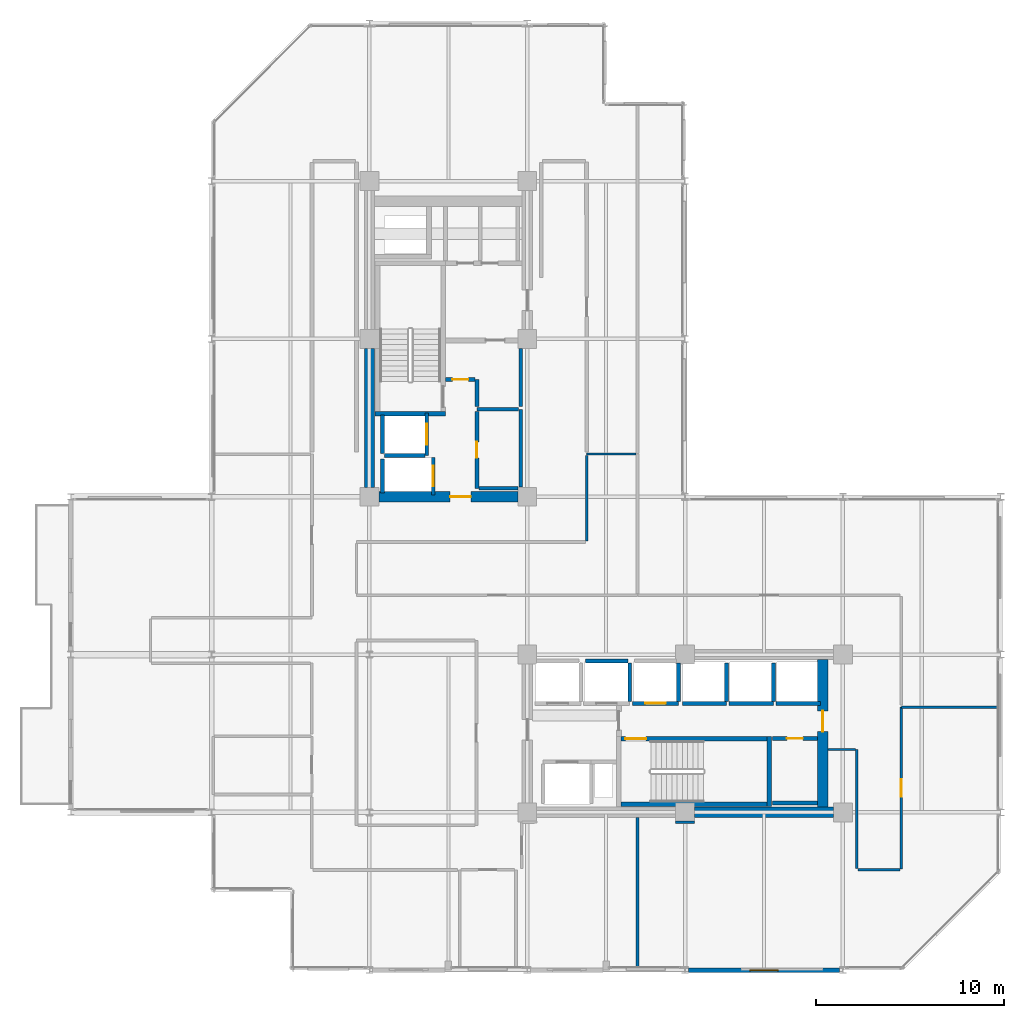
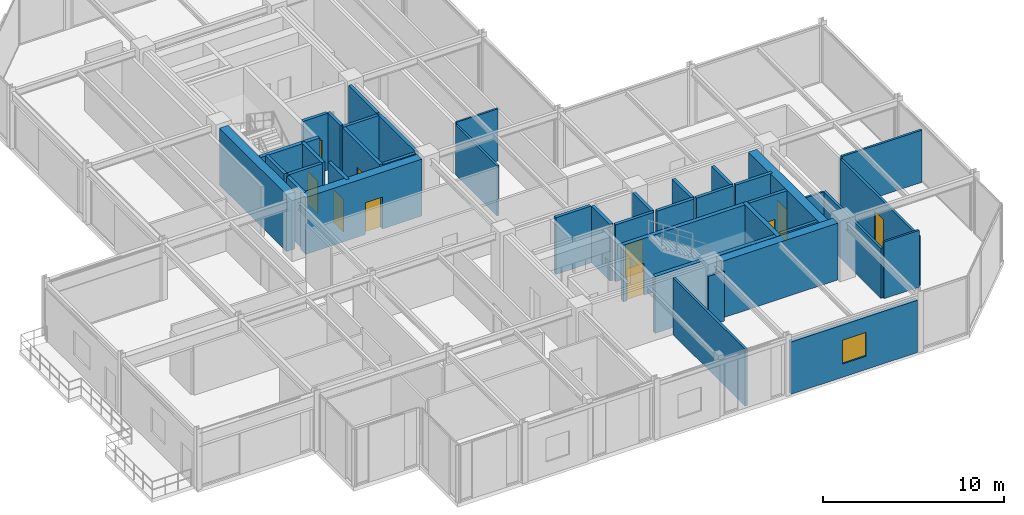
# One storey, part 25 of 29: 41 walls, 10 doors, 1 window, 11 openings.
"""IFC4 building model written with IfcOpenShell, lengths in metres."""

from ifc_helpers import new_model, si_unit, direction, frame, frame_2d, origin, place, context, subcontext, project, spatial, rectangle, extrude, material, layer, layer_set, type_object, element, fill, save


model = new_model("IFC4")

# Units and contexts
model_context = context("Model", 3, precision=1e-05, world=origin(), true_north=direction((0.0, 1.0)))
body_context = subcontext(model_context, "Body", "Model", "MODEL_VIEW")
ifc_project = project(units=[si_unit("LENGTHUNIT", "METRE"), si_unit("AREAUNIT", "SQUARE_METRE"), si_unit("VOLUMEUNIT", "CUBIC_METRE"), si_unit("PLANEANGLEUNIT", "RADIAN"), si_unit("MASSUNIT", "GRAM", prefix="KILO")], contexts=[model_context])

# Site, building, storey
site_placement = place(None, origin())
site = spatial("IfcSite", under=ifc_project, at=site_placement, CompositionType="ELEMENT")
building_placement = place(site_placement, origin())
building = spatial("IfcBuilding", under=site, at=building_placement, Name="Nerrivon Quay Data Exchange", CompositionType="ELEMENT")
storey_placement = place(building_placement, frame((0.0, 0.0, 212.39990234375)))
storey = spatial("IfcBuildingStorey", under=building, at=storey_placement, Name="L50", CompositionType="ELEMENT", Elevation=212.39990234375)

# Wall, opening, window
ifc_material_1 = material(Name="Architectural terracotta precast concrete N50 (50 MPa)", Category="masonry")
ifc_layer_1 = layer(ifc_material_1, 0.239990234375)
ifc_layer_set_1 = layer_set([ifc_layer_1], Name="Architectural terracotta precast concrete N50 (50 MPa)")
wall_type_1 = type_object("IfcWallType", Name="EW-PREC-240", PredefinedType="STANDARD", material=ifc_layer_set_1)
wall_1_placement = place(storey_placement, frame((33.425048828125, 0.0, 0.0), z_axis=(0.0, 0.0, 1.0), x_axis=(-1.0, 0.0, 0.0)))
wall_1 = element("IfcWall", 1, at=wall_1_placement, inside=storey, type_object=wall_type_1, Name="L50 Podium Precast Spandrel Wall 23", PredefinedType="STANDARD", context=body_context, shape_type="SweptSolid", body=[
    extrude(rectangle(XDim=8.050048828125, YDim=0.239990234375, at=frame_2d((4.02490234375, 0.0))), origin(), (0.0, 0.0, 1.0), 3.525146484375),
])
opening_1_placement = place(wall_1_placement, frame((3.27490234375, 0.0, 0.89990234375)))
opening_1 = element("IfcOpeningElement", 2, at=opening_1_placement, cuts=wall_1, Name="Opening WN4", PredefinedType="OPENING", context=body_context, shape_type="SweptSolid", body=[
    extrude(rectangle(XDim=1.5, YDim=1.60009765625, at=frame_2d((0.75, 0.800048828125))), frame((0.0, 0.1298828125, 0.0), z_axis=(0.0, -1.0, 0.0), x_axis=(1.0, 0.0, 0.0)), (0.0, 0.0, 1.0), 0.260009765625),
])
ifc_material_2 = material(Name="Double-glazed low-E solar control glass", Category="glass")
window_type = type_object("IfcWindowType", Name="WIN-W4-1500x1600", PartitioningType="SINGLE_PANEL", PredefinedType="WINDOW", material=ifc_material_2)
window_placement = place(opening_1_placement, origin())
window = element("IfcWindow", 3, at=window_placement, inside=storey, type_object=window_type, Name="L50 Solar Facade Window 23", OverallHeight=1.60009765625, OverallWidth=1.5, PartitioningType="SINGLE_PANEL", PredefinedType="WINDOW", context=body_context, shape_type="SweptSolid", body=[
    extrude(rectangle(XDim=1.5, YDim=1.60009765625, at=frame_2d((0.75, 0.800048828125))), frame((0.0, 0.030029296875, 0.0), z_axis=(0.0, -1.0, 0.0), x_axis=(1.0, 0.0, 0.0)), (0.0, 0.0, 1.0), 0.06005859375),
])
fill(opening_1, window)

# Wall
ifc_material_3 = material(Name="Concrete S65 (65 MPa)", Category="concrete")
ifc_layer_2 = layer(ifc_material_3, 0.550048828125)
ifc_layer_set_2 = layer_set([ifc_layer_2], Name="Concrete S65 (65 MPa)")
wall_type_2 = type_object("IfcWallType", Name="WALL-CW-700", PredefinedType="SHEAR", material=ifc_layer_set_2)
wall_2_placement = place(storey_placement, frame((8.39990234375, 25.699951171875, 0.0), z_axis=(0.0, 0.0, 1.0), x_axis=(0.0, 1.0, 0.0)))
element("IfcWall", 4, at=wall_2_placement, inside=storey, type_object=wall_type_2, Name="L50 West Split-Core Shear Wall WCW-W1", PredefinedType="SHEAR", context=body_context, shape_type="SweptSolid", body=[
    extrude(rectangle(XDim=7.400146484375, YDim=0.550048828125, at=frame_2d((3.7001953125, 0.0))), origin(), (0.0, 0.0, 1.0), 3.8251953125),
])

# Wall, opening, door
wall_3_placement = place(storey_placement, frame((8.89990234375, 25.199951171875, 0.0), z_axis=(0.0, 0.0, 1.0), x_axis=(1.0, 0.0, 0.0)))
wall_3 = element("IfcWall", 5, at=wall_3_placement, inside=storey, type_object=wall_type_2, Name="L50 West Split-Core Shear Wall WCW-S1", PredefinedType="SHEAR", context=body_context, shape_type="SweptSolid", body=[
    extrude(rectangle(XDim=7.400146484375, YDim=0.550048828125, at=frame_2d((3.7001953125, 0.0))), origin(), (0.0, 0.0, 1.0), 3.8251953125),
])
opening_2_placement = place(wall_3_placement, frame((3.800048828125, 0.0, 0.0)))
opening_2 = element("IfcOpeningElement", 6, at=opening_2_placement, cuts=wall_3, Name="Opening FD-120", PredefinedType="OPENING", context=body_context, shape_type="SweptSolid", body=[
    extrude(rectangle(XDim=1.10009765625, YDim=2.14990234375, at=frame_2d((0.550048828125, 1.074951171875))), frame((0.0, 0.284912109375, 0.0), z_axis=(0.0, -1.0, 0.0), x_axis=(1.0, 0.0, 0.0)), (0.0, 0.0, 1.0), 0.570068359375),
])
ifc_material_4 = material(Name="Powder-coated galvanized steel sheet", Category="steel")
door_type_1 = type_object("IfcDoorType", Name="DR-FD120-1100", OperationType="NOTDEFINED", PredefinedType="DOOR", material=ifc_material_4)
door_1_placement = place(opening_2_placement, origin())
door_1 = element("IfcDoor", 7, at=door_1_placement, inside=storey, type_object=door_type_1, Name="L50 West Core Lobby Fire Door", OperationType="SINGLE_SWING_RIGHT", OverallHeight=2.14990234375, OverallWidth=1.10009765625, PredefinedType="DOOR", context=body_context, shape_type="SweptSolid", body=[
    extrude(rectangle(XDim=1.10009765625, YDim=2.14990234375, at=frame_2d((0.550048828125, 1.074951171875))), frame((0.0, 0.02490234375, 0.0), z_axis=(0.0, -1.0, 0.0), x_axis=(1.0, 0.0, 0.0)), (0.0, 0.0, 1.0), 0.050048828125),
])
fill(opening_2, door_1)

# Wall
wall_4_placement = place(storey_placement, frame((25.699951171875, 8.39990234375, 0.0), z_axis=(0.0, 0.0, 1.0), x_axis=(1.0, 0.0, 0.0)))
element("IfcWall", 8, at=wall_4_placement, inside=storey, type_object=wall_type_2, Name="L50 East Split-Core Shear Wall ECW-S2", PredefinedType="SHEAR", context=body_context, shape_type="SweptSolid", body=[
    extrude(rectangle(XDim=7.400146484375, YDim=0.550048828125, at=frame_2d((3.7001953125, 0.0))), origin(), (0.0, 0.0, 1.0), 3.8251953125),
])

# Wall, opening, door
wall_5_placement = place(storey_placement, frame((32.52490234375, 8.675048828125, 0.0), z_axis=(0.0, 0.0, 1.0), x_axis=(0.0, 1.0, 0.0)))
wall_5 = element("IfcWall", 9, at=wall_5_placement, inside=storey, type_object=wall_type_2, Name="L50 East Split-Core Shear Wall ECW-E1", PredefinedType="SHEAR", context=body_context, shape_type="SweptSolid", body=[
    extrude(rectangle(XDim=7.849853515625, YDim=0.550048828125, at=frame_2d((3.9248046875, 0.0))), origin(), (0.0, 0.0, 1.0), 3.8251953125),
])
opening_3_placement = place(wall_5_placement, frame((4.02490234375, 0.0, 0.0)))
opening_3 = element("IfcOpeningElement", 10, at=opening_3_placement, cuts=wall_5, Name="Opening FD-120", PredefinedType="OPENING", context=body_context, shape_type="SweptSolid", body=[
    extrude(rectangle(XDim=1.10009765625, YDim=2.14990234375, at=frame_2d((0.550048828125, 1.074951171875))), frame((0.0, 0.284912109375, 0.0), z_axis=(0.0, -1.0, 0.0), x_axis=(1.0, 0.0, 0.0)), (0.0, 0.0, 1.0), 0.570068359375),
])
door_2_placement = place(opening_3_placement, origin())
door_2 = element("IfcDoor", 11, at=door_2_placement, inside=storey, type_object=door_type_1, Name="L50 East Core Lobby Fire Door", OperationType="SINGLE_SWING_LEFT", OverallHeight=2.14990234375, OverallWidth=1.10009765625, PredefinedType="DOOR", context=body_context, shape_type="SweptSolid", body=[
    extrude(rectangle(XDim=1.10009765625, YDim=2.14990234375, at=frame_2d((0.550048828125, 1.074951171875))), frame((0.0, 0.02490234375, 0.0), z_axis=(0.0, -1.0, 0.0), x_axis=(1.0, 0.0, 0.0)), (0.0, 0.0, 1.0), 0.050048828125),
])
fill(opening_3, door_2)

ifc_material_5 = material(Name="Gypsum plasterboard on cold-formed framing", Category="gypsum")
ifc_layer_3 = layer(ifc_material_5, 0.199951171875)
ifc_layer_set_3 = layer_set([ifc_layer_3], Name="Gypsum plasterboard on cold-formed framing")
wall_type_3 = type_object("IfcWallType", Name="WALL-FW-200", PredefinedType="PARTITIONING", material=ifc_layer_set_3)
wall_6_placement = place(storey_placement, frame((11.449951171875, 27.39990234375, 0.0), z_axis=(0.0, 0.0, 1.0), x_axis=(0.0, 1.0, 0.0)))
wall_6 = element("IfcWall", 12, at=wall_6_placement, inside=storey, type_object=wall_type_3, Name="L50 Lift Front Wall FFL-1", PredefinedType="PARTITIONING", context=body_context, shape_type="SweptSolid", body=[
    extrude(rectangle(XDim=2.25, YDim=0.199951171875, at=frame_2d((1.125, 0.0))), origin(), (0.0, 0.0, 1.0), 3.8251953125),
])
opening_4_placement = place(wall_6_placement, frame((0.574951171875, 0.0, 0.0)))
opening_4 = element("IfcOpeningElement", 13, at=opening_4_placement, cuts=wall_6, Name="Opening LD-120", PredefinedType="OPENING", context=body_context, shape_type="SweptSolid", body=[
    extrude(rectangle(XDim=1.10009765625, YDim=2.199951171875, at=frame_2d((0.550048828125, 1.10009765625))), frame((0.0, 0.10986328125, 0.0), z_axis=(0.0, -1.0, 0.0), x_axis=(1.0, 0.0, 0.0)), (0.0, 0.0, 1.0), 0.219970703125),
])
door_type_2 = type_object("IfcDoorType", Name="DR-LIFT-LD120", OperationType="DOUBLE_DOOR_SLIDING", PredefinedType="DOOR", material=ifc_material_4)
door_3_placement = place(opening_4_placement, origin())
door_3 = element("IfcDoor", 14, at=door_3_placement, inside=storey, type_object=door_type_2, Name="L50 Lift Landing Sliding Door FFL-1", OperationType="DOUBLE_DOOR_SLIDING", OverallHeight=2.199951171875, OverallWidth=1.10009765625, PredefinedType="DOOR", context=body_context, shape_type="SweptSolid", body=[
    extrude(rectangle(XDim=1.10009765625, YDim=2.199951171875, at=frame_2d((0.550048828125, 1.10009765625))), frame((0.0, 0.02490234375, 0.0), z_axis=(0.0, -1.0, 0.0), x_axis=(1.0, 0.0, 0.0)), (0.0, 0.0, 1.0), 0.050048828125),
])
fill(opening_4, door_3)

# Walls
wall_7_placement = place(storey_placement, frame((9.10009765625, 27.5, 0.0), z_axis=(0.0, 0.0, 1.0), x_axis=(0.0, 1.0, 0.0)))
element("IfcWall", 15, at=wall_7_placement, inside=storey, type_object=wall_type_3, Name="L50 Lift Shaft Wall FFL-1 WEST", PredefinedType="PARTITIONING", context=body_context, shape_type="SweptSolid", body=[
    extrude(rectangle(XDim=2.050048828125, YDim=0.199951171875, at=frame_2d((1.02490234375, 0.0))), origin(), (0.0, 0.0, 1.0), 3.8251953125),
])
wall_8_placement = place(storey_placement, frame((9.199951171875, 27.39990234375, 0.0), z_axis=(0.0, 0.0, 1.0), x_axis=(1.0, 0.0, 0.0)))
element("IfcWall", 16, at=wall_8_placement, inside=storey, type_object=wall_type_3, Name="L50 Lift Shaft Wall FFL-1 SOUTH", PredefinedType="PARTITIONING", context=body_context, shape_type="SweptSolid", body=[
    extrude(rectangle(XDim=2.150146484375, YDim=0.199951171875, at=frame_2d((1.0751953125, 0.0))), origin(), (0.0, 0.0, 1.0), 3.8251953125),
])

# Wall, opening, door
wall_9_placement = place(storey_placement, frame((11.800048828125, 25.300048828125, 0.0), z_axis=(0.0, 0.0, 1.0), x_axis=(0.0, 1.0, 0.0)))
wall_9 = element("IfcWall", 17, at=wall_9_placement, inside=storey, type_object=wall_type_3, Name="L50 Lift Front Wall SVL-1", PredefinedType="PARTITIONING", context=body_context, shape_type="SweptSolid", body=[
    extrude(rectangle(XDim=2.0, YDim=0.199951171875, at=frame_2d((1.0, 0.0))), origin(), (0.0, 0.0, 1.0), 3.8251953125),
])
opening_5_placement = place(wall_9_placement, frame((0.449951171875, 0.0, 0.0)))
opening_5 = element("IfcOpeningElement", 18, at=opening_5_placement, cuts=wall_9, Name="Opening LD-120", PredefinedType="OPENING", context=body_context, shape_type="SweptSolid", body=[
    extrude(rectangle(XDim=1.10009765625, YDim=2.199951171875, at=frame_2d((0.550048828125, 1.10009765625))), frame((0.0, 0.10986328125, 0.0), z_axis=(0.0, -1.0, 0.0), x_axis=(1.0, 0.0, 0.0)), (0.0, 0.0, 1.0), 0.219970703125),
])
door_4_placement = place(opening_5_placement, origin())
door_4 = element("IfcDoor", 19, at=door_4_placement, inside=storey, type_object=door_type_2, Name="L50 Lift Landing Sliding Door SVL-1", OperationType="DOUBLE_DOOR_SLIDING", OverallHeight=2.199951171875, OverallWidth=1.10009765625, PredefinedType="DOOR", context=body_context, shape_type="SweptSolid", body=[
    extrude(rectangle(XDim=1.10009765625, YDim=2.199951171875, at=frame_2d((0.550048828125, 1.10009765625))), frame((0.0, 0.02490234375, 0.0), z_axis=(0.0, -1.0, 0.0), x_axis=(1.0, 0.0, 0.0)), (0.0, 0.0, 1.0), 0.050048828125),
])
fill(opening_5, door_4)

# Walls
wall_10_placement = place(storey_placement, frame((9.10009765625, 25.39990234375, 0.0), z_axis=(0.0, 0.0, 1.0), x_axis=(0.0, 1.0, 0.0)))
element("IfcWall", 20, at=wall_10_placement, inside=storey, type_object=wall_type_3, Name="L50 Lift Shaft Wall SVL-1 WEST", PredefinedType="PARTITIONING", context=body_context, shape_type="SweptSolid", body=[
    extrude(rectangle(XDim=1.800048828125, YDim=0.199951171875, at=frame_2d((0.89990234375, 0.0))), origin(), (0.0, 0.0, 1.0), 3.8251953125),
])
wall_11_placement = place(storey_placement, frame((22.25, 14.300048828125, 0.0), z_axis=(0.0, 0.0, 1.0), x_axis=(0.0, 1.0, 0.0)))
element("IfcWall", 21, at=wall_11_placement, inside=storey, type_object=wall_type_3, Name="L50 Lift Shaft Wall PL5 EAST", PredefinedType="PARTITIONING", context=body_context, shape_type="SweptSolid", body=[
    extrude(rectangle(XDim=2.050048828125, YDim=0.199951171875, at=frame_2d((1.02490234375, 0.0))), origin(), (0.0, 0.0, 1.0), 3.8251953125),
])
wall_12_placement = place(storey_placement, frame((19.89990234375, 16.449951171875, 0.0), z_axis=(0.0, 0.0, 1.0), x_axis=(1.0, 0.0, 0.0)))
element("IfcWall", 22, at=wall_12_placement, inside=storey, type_object=wall_type_3, Name="L50 Lift Shaft Wall PL5 NORTH", PredefinedType="PARTITIONING", context=body_context, shape_type="SweptSolid", body=[
    extrude(rectangle(XDim=2.25, YDim=0.199951171875, at=frame_2d((1.125, 0.0))), origin(), (0.0, 0.0, 1.0), 3.8251953125),
])

# Wall, opening, door
wall_13_placement = place(storey_placement, frame((22.39990234375, 14.199951171875, 0.0), z_axis=(0.0, 0.0, 1.0), x_axis=(1.0, 0.0, 0.0)))
wall_13 = element("IfcWall", 23, at=wall_13_placement, inside=storey, type_object=wall_type_3, Name="L50 Lift Front Wall PL6", PredefinedType="PARTITIONING", context=body_context, shape_type="SweptSolid", body=[
    extrude(rectangle(XDim=2.4501953125, YDim=0.199951171875, at=frame_2d((1.22509765625, 0.0))), origin(), (0.0, 0.0, 1.0), 3.8251953125),
])
opening_6_placement = place(wall_13_placement, frame((0.675048828125, 0.0, 0.0)))
opening_6 = element("IfcOpeningElement", 24, at=opening_6_placement, cuts=wall_13, Name="Opening LD-120", PredefinedType="OPENING", context=body_context, shape_type="SweptSolid", body=[
    extrude(rectangle(XDim=1.10009765625, YDim=2.199951171875, at=frame_2d((0.550048828125, 1.10009765625))), frame((0.0, 0.10986328125, 0.0), z_axis=(0.0, -1.0, 0.0), x_axis=(1.0, 0.0, 0.0)), (0.0, 0.0, 1.0), 0.219970703125),
])
door_5_placement = place(opening_6_placement, origin())
door_5 = element("IfcDoor", 25, at=door_5_placement, inside=storey, type_object=door_type_2, Name="L50 Lift Landing Sliding Door PL6", OperationType="DOUBLE_DOOR_SLIDING", OverallHeight=2.199951171875, OverallWidth=1.10009765625, PredefinedType="DOOR", context=body_context, shape_type="SweptSolid", body=[
    extrude(rectangle(XDim=1.10009765625, YDim=2.199951171875, at=frame_2d((0.550048828125, 1.10009765625))), frame((0.0, 0.02490234375, 0.0), z_axis=(0.0, -1.0, 0.0), x_axis=(1.0, 0.0, 0.0)), (0.0, 0.0, 1.0), 0.050048828125),
])
fill(opening_6, door_5)

# Walls
wall_14_placement = place(storey_placement, frame((24.85009765625, 14.300048828125, 0.0), z_axis=(0.0, 0.0, 1.0), x_axis=(0.0, 1.0, 0.0)))
element("IfcWall", 26, at=wall_14_placement, inside=storey, type_object=wall_type_3, Name="L50 Lift Shaft Wall PL6 EAST", PredefinedType="PARTITIONING", context=body_context, shape_type="SweptSolid", body=[
    extrude(rectangle(XDim=2.050048828125, YDim=0.199951171875, at=frame_2d((1.02490234375, 0.0))), origin(), (0.0, 0.0, 1.0), 3.8251953125),
])
wall_15_placement = place(storey_placement, frame((25.050048828125, 14.199951171875, 0.0), z_axis=(0.0, 0.0, 1.0), x_axis=(1.0, 0.0, 0.0)))
element("IfcWall", 27, at=wall_15_placement, inside=storey, type_object=wall_type_3, Name="L50 Lift Front Wall PL7", PredefinedType="PARTITIONING", context=body_context, shape_type="SweptSolid", body=[
    extrude(rectangle(XDim=2.349853515625, YDim=0.199951171875, at=frame_2d((1.1748046875, 0.0))), origin(), (0.0, 0.0, 1.0), 3.8251953125),
])
wall_16_placement = place(storey_placement, frame((27.39990234375, 14.300048828125, 0.0), z_axis=(0.0, 0.0, 1.0), x_axis=(0.0, 1.0, 0.0)))
element("IfcWall", 28, at=wall_16_placement, inside=storey, type_object=wall_type_3, Name="L50 Lift Shaft Wall PL7 EAST", PredefinedType="PARTITIONING", context=body_context, shape_type="SweptSolid", body=[
    extrude(rectangle(XDim=2.050048828125, YDim=0.199951171875, at=frame_2d((1.02490234375, 0.0))), origin(), (0.0, 0.0, 1.0), 3.8251953125),
])
wall_17_placement = place(storey_placement, frame((27.550048828125, 14.199951171875, 0.0), z_axis=(0.0, 0.0, 1.0), x_axis=(1.0, 0.0, 0.0)))
element("IfcWall", 29, at=wall_17_placement, inside=storey, type_object=wall_type_3, Name="L50 Lift Front Wall PL8", PredefinedType="PARTITIONING", context=body_context, shape_type="SweptSolid", body=[
    extrude(rectangle(XDim=2.349853515625, YDim=0.199951171875, at=frame_2d((1.1748046875, 0.0))), origin(), (0.0, 0.0, 1.0), 3.8251953125),
])
wall_18_placement = place(storey_placement, frame((29.89990234375, 14.300048828125, 0.0), z_axis=(0.0, 0.0, 1.0), x_axis=(0.0, 1.0, 0.0)))
element("IfcWall", 30, at=wall_18_placement, inside=storey, type_object=wall_type_3, Name="L50 Lift Shaft Wall PL8 EAST", PredefinedType="PARTITIONING", context=body_context, shape_type="SweptSolid", body=[
    extrude(rectangle(XDim=2.050048828125, YDim=0.199951171875, at=frame_2d((1.02490234375, 0.0))), origin(), (0.0, 0.0, 1.0), 3.8251953125),
])
wall_19_placement = place(storey_placement, frame((30.050048828125, 14.199951171875, 0.0), z_axis=(0.0, 0.0, 1.0), x_axis=(1.0, 0.0, 0.0)))
element("IfcWall", 31, at=wall_19_placement, inside=storey, type_object=wall_type_3, Name="L50 Lift Front Wall PL9", PredefinedType="PARTITIONING", context=body_context, shape_type="SweptSolid", body=[
    extrude(rectangle(XDim=2.349853515625, YDim=0.199951171875, at=frame_2d((1.1748046875, 0.0))), origin(), (0.0, 0.0, 1.0), 3.8251953125),
])
wall_20_placement = place(storey_placement, frame((16.449951171875, 25.705078125, 0.0), z_axis=(0.0, 0.0, 1.0), x_axis=(0.0, 1.0, 0.0)))
element("IfcWall", 32, at=wall_20_placement, inside=storey, type_object=wall_type_3, Name="L50 Partition Telemetry Hub Closet", PredefinedType="PARTITIONING", context=body_context, shape_type="SweptSolid", body=[
    extrude(rectangle(XDim=4.14501953125, YDim=0.199951171875, at=frame_2d((2.072509765625, 0.0))), origin(), (0.0, 0.0, 1.0), 3.8251953125),
])
wall_21_placement = place(storey_placement, frame((16.345947265625, 29.85009765625, 0.0), z_axis=(0.0, 0.0, 1.0), x_axis=(-1.0, 0.0, 0.0)))
element("IfcWall", 33, at=wall_21_placement, inside=storey, type_object=wall_type_3, Name="L50 Partition Telemetry Hub Closet", PredefinedType="PARTITIONING", context=body_context, shape_type="SweptSolid", body=[
    extrude(rectangle(XDim=2.225830078125, YDim=0.199951171875, at=frame_2d((1.11279296875, 0.0))), origin(), (0.0, 0.0, 1.0), 3.8251953125),
])

# Wall, opening, door
wall_22_placement = place(storey_placement, frame((14.1201171875, 29.74609375, 0.0), z_axis=(0.0, 0.0, 1.0), x_axis=(0.0, -1.0, 0.0)))
wall_22 = element("IfcWall", 34, at=wall_22_placement, inside=storey, type_object=wall_type_3, Name="L50 Partition Telemetry Hub Closet", PredefinedType="PARTITIONING", context=body_context, shape_type="SweptSolid", body=[
    extrude(rectangle(XDim=4.09619140625, YDim=0.199951171875, at=frame_2d((2.048095703125, 0.0))), origin(), (0.0, 0.0, 1.0), 3.8251953125),
])
opening_7_placement = place(wall_22_placement, frame((1.623046875, 0.0, 0.0)))
opening_7 = element("IfcOpeningElement", 35, at=opening_7_placement, cuts=wall_22, Name="Opening FD-60S", PredefinedType="OPENING", context=body_context, shape_type="SweptSolid", body=[
    extrude(rectangle(XDim=0.85009765625, YDim=2.14990234375, at=frame_2d((0.425048828125, 1.074951171875))), frame((0.0, 0.10986328125, 0.0), z_axis=(0.0, -1.0, 0.0), x_axis=(1.0, 0.0, 0.0)), (0.0, 0.0, 1.0), 0.219970703125),
])
ifc_material_6 = material(Name="Engineered hardwood timber", Category="wood")
door_type_3 = type_object("IfcDoorType", Name="DR-FD60-850", OperationType="NOTDEFINED", PredefinedType="DOOR", material=ifc_material_6)
door_6_placement = place(opening_7_placement, origin())
door_6 = element("IfcDoor", 36, at=door_6_placement, inside=storey, type_object=door_type_3, Name="L50 Door Telemetry Hub Closet", OperationType="SINGLE_SWING_LEFT", OverallHeight=2.14990234375, OverallWidth=0.85009765625, PredefinedType="DOOR", context=body_context, shape_type="SweptSolid", body=[
    extrude(rectangle(XDim=0.85009765625, YDim=2.14990234375, at=frame_2d((0.425048828125, 1.074951171875))), frame((0.0, 0.02490234375, 0.0), z_axis=(0.0, -1.0, 0.0), x_axis=(1.0, 0.0, 0.0)), (0.0, 0.0, 1.0), 0.050048828125),
])
fill(opening_7, door_6)

# Walls
wall_23_placement = place(storey_placement, frame((14.22412109375, 25.64990234375, 0.0), z_axis=(0.0, 0.0, 1.0), x_axis=(1.0, 0.0, 0.0)))
element("IfcWall", 37, at=wall_23_placement, inside=storey, type_object=wall_type_3, Name="L50 Partition Telemetry Hub Closet", PredefinedType="PARTITIONING", context=body_context, shape_type="SweptSolid", body=[
    extrude(rectangle(XDim=2.07080078125, YDim=0.199951171875, at=frame_2d((1.035400390625, 0.0))), origin(), (0.0, 0.0, 1.0), 3.8251953125),
])
wall_24_placement = place(storey_placement, frame((14.1201171875, 31.43994140625, 0.0), z_axis=(0.0, 0.0, 1.0), x_axis=(0.0, -1.0, 0.0)))
element("IfcWall", 38, at=wall_24_placement, inside=storey, type_object=wall_type_3, Name="L50 Partition Core Equipment Store", PredefinedType="PARTITIONING", context=body_context, shape_type="SweptSolid", body=[
    extrude(rectangle(XDim=1.43994140625, YDim=0.199951171875, at=frame_2d((0.719970703125, 0.0))), origin(), (0.0, 0.0, 1.0), 3.8251953125),
])
wall_25_placement = place(storey_placement, frame((16.449951171875, 30.0, 0.0), z_axis=(0.0, 0.0, 1.0), x_axis=(0.0, 1.0, 0.0)))
element("IfcWall", 39, at=wall_25_placement, inside=storey, type_object=wall_type_3, Name="L50 Partition Core Equipment Store", PredefinedType="PARTITIONING", context=body_context, shape_type="SweptSolid", body=[
    extrude(rectangle(XDim=3.094970703125, YDim=0.199951171875, at=frame_2d((1.54736328125, 0.0))), origin(), (0.0, 0.0, 1.0), 3.8251953125),
])

# Wall, opening, door
wall_26_placement = place(storey_placement, frame((12.4541015625, 31.43994140625, 0.0), z_axis=(0.0, 0.0, 1.0), x_axis=(1.0, 0.0, 0.0)))
wall_26 = element("IfcWall", 40, at=wall_26_placement, inside=storey, type_object=wall_type_3, Name="L50 Partition Core Equipment Store", PredefinedType="PARTITIONING", context=body_context, shape_type="SweptSolid", body=[
    extrude(rectangle(XDim=1.56201171875, YDim=0.199951171875, at=frame_2d((0.781005859375, 0.0))), origin(), (0.0, 0.0, 1.0), 3.8251953125),
])
opening_8_placement = place(wall_26_placement, frame((0.35595703125, 0.0, 0.0)))
opening_8 = element("IfcOpeningElement", 41, at=opening_8_placement, cuts=wall_26, Name="Opening FD-60S", PredefinedType="OPENING", context=body_context, shape_type="SweptSolid", body=[
    extrude(rectangle(XDim=0.85009765625, YDim=2.14990234375, at=frame_2d((0.425048828125, 1.074951171875))), frame((0.0, 0.10986328125, 0.0), z_axis=(0.0, -1.0, 0.0), x_axis=(1.0, 0.0, 0.0)), (0.0, 0.0, 1.0), 0.219970703125),
])
door_7_placement = place(opening_8_placement, origin())
door_7 = element("IfcDoor", 42, at=door_7_placement, inside=storey, type_object=door_type_3, Name="L50 Door Core Equipment Store", OperationType="SINGLE_SWING_RIGHT", OverallHeight=2.14990234375, OverallWidth=0.85009765625, PredefinedType="DOOR", context=body_context, shape_type="SweptSolid", body=[
    extrude(rectangle(XDim=0.85009765625, YDim=2.14990234375, at=frame_2d((0.425048828125, 1.074951171875))), frame((0.0, 0.02490234375, 0.0), z_axis=(0.0, -1.0, 0.0), x_axis=(1.0, 0.0, 0.0)), (0.0, 0.0, 1.0), 0.050048828125),
])
fill(opening_8, door_7)

wall_27_placement = place(storey_placement, frame((32.24609375, 12.330078125, 0.0), z_axis=(0.0, 0.0, 1.0), x_axis=(-1.0, 0.0, 0.0)))
wall_27 = element("IfcWall", 43, at=wall_27_placement, inside=storey, type_object=wall_type_3, Name="L50 Partition East Supply Store", PredefinedType="PARTITIONING", context=body_context, shape_type="SweptSolid", body=[
    extrude(rectangle(XDim=2.39599609375, YDim=0.199951171875, at=frame_2d((1.197998046875, 0.0))), origin(), (0.0, 0.0, 1.0), 3.8251953125),
])
opening_9_placement = place(wall_27_placement, frame((0.77294921875, 0.0, 0.0)))
opening_9 = element("IfcOpeningElement", 44, at=opening_9_placement, cuts=wall_27, Name="Opening FD-60S", PredefinedType="OPENING", context=body_context, shape_type="SweptSolid", body=[
    extrude(rectangle(XDim=0.85009765625, YDim=2.14990234375, at=frame_2d((0.425048828125, 1.074951171875))), frame((0.0, 0.10986328125, 0.0), z_axis=(0.0, -1.0, 0.0), x_axis=(1.0, 0.0, 0.0)), (0.0, 0.0, 1.0), 0.219970703125),
])
door_8_placement = place(opening_9_placement, origin())
door_8 = element("IfcDoor", 45, at=door_8_placement, inside=storey, type_object=door_type_3, Name="L50 Door East Supply Store", OperationType="SINGLE_SWING_LEFT", OverallHeight=2.14990234375, OverallWidth=0.85009765625, PredefinedType="DOOR", context=body_context, shape_type="SweptSolid", body=[
    extrude(rectangle(XDim=0.85009765625, YDim=2.14990234375, at=frame_2d((0.425048828125, 1.074951171875))), frame((0.0, 0.02490234375, 0.0), z_axis=(0.0, -1.0, 0.0), x_axis=(1.0, 0.0, 0.0)), (0.0, 0.0, 1.0), 0.050048828125),
])
fill(opening_9, door_8)

# Walls
wall_28_placement = place(storey_placement, frame((29.85009765625, 8.89990234375, 0.0), z_axis=(0.0, 0.0, 1.0), x_axis=(1.0, 0.0, 0.0)))
element("IfcWall", 46, at=wall_28_placement, inside=storey, type_object=wall_type_3, Name="L50 Partition East Supply Store", PredefinedType="PARTITIONING", context=body_context, shape_type="SweptSolid", body=[
    extrude(rectangle(XDim=2.39599609375, YDim=0.199951171875, at=frame_2d((1.197998046875, 0.0))), origin(), (0.0, 0.0, 1.0), 3.8251953125),
])
ifc_layer_4 = layer(ifc_material_5, 0.1201171875)
ifc_layer_set_4 = layer_set([ifc_layer_4], Name="Gypsum plasterboard on cold-formed framing")
wall_type_4 = type_object("IfcWallType", Name="WALL-PT-120", PredefinedType="PARTITIONING", material=ifc_layer_set_4)
wall_29_placement = place(storey_placement, frame((22.593994140625, 27.46923828125, 0.0), z_axis=(0.0, 0.0, 1.0), x_axis=(-1.0, 0.0, 0.0)))
element("IfcWall", 47, at=wall_29_placement, inside=storey, type_object=wall_type_4, Name="L50 Partition Network Security Control", PredefinedType="PARTITIONING", context=body_context, shape_type="SweptSolid", body=[
    extrude(rectangle(XDim=2.634033203125, YDim=0.1201171875, at=frame_2d((1.31689453125, 0.0))), origin(), (0.0, 0.0, 1.0), 3.51806640625),
])
wall_30_placement = place(storey_placement, frame((36.64990234375, 5.340087890625, 0.0), z_axis=(0.0, 0.0, 1.0), x_axis=(-1.0, 0.0, 0.0)))
element("IfcWall", 48, at=wall_30_placement, inside=storey, type_object=wall_type_4, Name="L50 Partition Quiet Reading Room", PredefinedType="PARTITIONING", context=body_context, shape_type="SweptSolid", body=[
    extrude(rectangle(XDim=2.25, YDim=0.1201171875, at=frame_2d((1.125, 0.0))), origin(), (0.0, 0.0, 1.0), 3.8251953125),
])
wall_31_placement = place(storey_placement, frame((34.260986328125, 11.739990234375, 0.0), z_axis=(0.0, 0.0, 1.0), x_axis=(-1.0, 0.0, 0.0)))
element("IfcWall", 49, at=wall_31_placement, inside=storey, type_object=wall_type_4, Name="L50 Partition Quiet Reading Room", PredefinedType="PARTITIONING", context=body_context, shape_type="SweptSolid", body=[
    extrude(rectangle(XDim=1.45703125, YDim=0.1201171875, at=frame_2d((0.728515625, 0.0))), origin(), (0.0, 0.0, 1.0), 3.37109375),
])
wall_32_placement = place(storey_placement, frame((25.703857421875, 7.88037109375, 0.0), z_axis=(0.0, 0.0, 1.0), x_axis=(-0.999999881717, -0.000486381265, 0.0)))
element("IfcWall", 50, at=wall_32_placement, inside=storey, type_object=wall_type_4, Name="L50 Partition Quiet Reading Room", PredefinedType="PARTITIONING", context=body_context, shape_type="SweptSolid", body=[
    extrude(rectangle(XDim=1.00390625, YDim=0.1201171875, at=frame_2d((0.501953125, 0.0))), origin(), (0.0, 0.0, 1.0), 3.37109375),
])
ifc_layer_5 = layer(ifc_material_5, 0.135009765625)
ifc_layer_set_5 = layer_set([ifc_layer_5], Name="Gypsum plasterboard on cold-formed framing")
wall_type_5 = type_object("IfcWallType", Name="WALL-PT-135", PredefinedType="PARTITIONING", material=ifc_layer_set_5)
wall_33_placement = place(storey_placement, frame((19.9599609375, 27.4052734375, 0.0), z_axis=(0.0, 0.0, 1.0), x_axis=(0.0, -1.0, 0.0)))
element("IfcWall", 51, at=wall_33_placement, inside=storey, type_object=wall_type_5, Name="L50 Partition Network Security Control", PredefinedType="PARTITIONING", context=body_context, shape_type="SweptSolid", body=[
    extrude(rectangle(XDim=4.55517578125, YDim=0.135009765625, at=frame_2d((2.277587890625, 0.0))), origin(), (0.0, 0.0, 1.0), 3.364990234375),
])
wall_34_placement = place(storey_placement, frame((41.8310546875, 14.000244140625, 0.0), z_axis=(0.0, 0.0, 1.0), x_axis=(-1.0, 0.0, 0.0)))
element("IfcWall", 52, at=wall_34_placement, inside=storey, type_object=wall_type_5, Name="L50 Partition Quiet Reading Room", PredefinedType="PARTITIONING", context=body_context, shape_type="SweptSolid", body=[
    extrude(rectangle(XDim=5.12109375, YDim=0.135009765625, at=frame_2d((2.560546875, 0.0))), origin(), (0.0, 0.0, 1.0), 3.51806640625),
])
ifc_layer_6 = layer(ifc_material_5, 0.14990234375)
ifc_layer_set_6 = layer_set([ifc_layer_6], Name="Gypsum plasterboard on cold-formed framing")
wall_type_6 = type_object("IfcWallType", Name="WALL-PT-150", PredefinedType="PARTITIONING", material=ifc_layer_set_6)
wall_35_placement = place(storey_placement, frame((22.673095703125, 0.1689453125, 0.0), z_axis=(0.0, 0.0, 1.0), x_axis=(0.0, 1.0, 0.0)))
element("IfcWall", 53, at=wall_35_placement, inside=storey, type_object=wall_type_6, Name="L50 Partition Staff Pantry", PredefinedType="PARTITIONING", context=body_context, shape_type="SweptSolid", body=[
    extrude(rectangle(XDim=7.9521484375, YDim=0.14990234375, at=frame_2d((3.97607421875, 0.0))), origin(), (0.0, 0.0, 1.0), 3.8251953125),
])

# Wall, opening, door
wall_36_placement = place(storey_placement, frame((36.7099609375, 14.000244140625, 0.0), z_axis=(0.0, 0.0, 1.0), x_axis=(-2.836799e-05, -0.999999999598, 0.0)))
wall_36 = element("IfcWall", 54, at=wall_36_placement, inside=storey, type_object=wall_type_6, Name="L50 Partition Quiet Reading Room", PredefinedType="PARTITIONING", context=body_context, shape_type="SweptSolid", body=[
    extrude(rectangle(XDim=8.606201171875, YDim=0.14990234375, at=frame_2d((4.30322265625, 0.0))), origin(), (0.0, 0.0, 1.0), 3.364990234375),
])
opening_10_placement = place(wall_36_placement, frame((3.828125, 0.0, 0.0)))
opening_10 = element("IfcOpeningElement", 55, at=opening_10_placement, cuts=wall_36, Name="Opening D-01", PredefinedType="OPENING", context=body_context, shape_type="SweptSolid", body=[
    extrude(rectangle(XDim=0.949951171875, YDim=2.14990234375, at=frame_2d((0.47509765625, 1.074951171875))), frame((0.0, 0.0849609375, 0.0), z_axis=(0.0, -1.0, 0.0), x_axis=(1.0, 0.0, 0.0)), (0.0, 0.0, 1.0), 0.169921875),
])
door_type_4 = type_object("IfcDoorType", Name="DR-INT-950", OperationType="NOTDEFINED", PredefinedType="DOOR", material=ifc_material_6)
door_9_placement = place(opening_10_placement, origin())
door_9 = element("IfcDoor", 56, at=door_9_placement, inside=storey, type_object=door_type_4, Name="L50 Door Quiet Reading Room", OperationType="SINGLE_SWING_LEFT", OverallHeight=2.14990234375, OverallWidth=0.949951171875, PredefinedType="DOOR", context=body_context, shape_type="SweptSolid", body=[
    extrude(rectangle(XDim=0.949951171875, YDim=2.14990234375, at=frame_2d((0.47509765625, 1.074951171875))), frame((0.0, 0.02490234375, 0.0), z_axis=(0.0, -1.0, 0.0), x_axis=(1.0, 0.0, 0.0)), (0.0, 0.0, 1.0), 0.050048828125),
])
fill(opening_10, door_9)

# Walls
wall_37_placement = place(storey_placement, frame((34.340087890625, 5.39990234375, 0.0), z_axis=(0.0, 0.0, 1.0), x_axis=(0.0, 1.0, 0.0)))
element("IfcWall", 57, at=wall_37_placement, inside=storey, type_object=wall_type_6, Name="L50 Partition Quiet Reading Room", PredefinedType="PARTITIONING", context=body_context, shape_type="SweptSolid", body=[
    extrude(rectangle(XDim=6.340087890625, YDim=0.14990234375, at=frame_2d((3.169921875, 0.0))), origin(), (0.0, 0.0, 1.0), 3.364990234375),
])
ifc_material_7 = material(Name="Concrete N50 (50 MPa)", Category="concrete")
ifc_layer_7 = layer(ifc_material_7, 0.25)
ifc_layer_set_7 = layer_set([ifc_layer_7], Name="Concrete N50 (50 MPa)")
wall_type_7 = type_object("IfcWallType", Name="WALL-SW-250", PredefinedType="SHEAR", material=ifc_layer_set_7)
for number, where, z_axis, x_axis, name in (
    (58, (12.449951171875, 29.625, 0.0), (0.0, 0.0, 1.0), (-1.0, 0.0, 0.0), "L50 ST01 Structural Stair Core Wall NEAR"),
    (59, (29.675048828125, 8.699951171875, 0.0), (0.0, 0.0, 1.0), (0.0, 1.0, 0.0), "L50 ST02 Structural Stair Core Wall FAR"),
):
    element("IfcWall", number, at=place(storey_placement, frame(where, z_axis=z_axis, x_axis=x_axis)), inside=storey, type_object=wall_type_7, Name=name, PredefinedType="SHEAR", context=body_context, shape_type="SweptSolid", body=[
        extrude(rectangle(XDim=3.75, YDim=0.25, at=frame_2d((1.875, 0.0))), origin(), (0.0, 0.0, 1.0), 3.8251953125),
    ])
wall_38_placement = place(storey_placement, frame((21.800048828125, 8.824951171875, 0.0), z_axis=(0.0, 0.0, 1.0), x_axis=(1.0, 0.0, 0.0)))
element("IfcWall", 60, at=wall_38_placement, inside=storey, type_object=wall_type_7, Name="L50 ST02 Structural Stair Core Wall LEFT", PredefinedType="SHEAR", context=body_context, shape_type="SweptSolid", body=[
    extrude(rectangle(XDim=7.75, YDim=0.25, at=frame_2d((3.875, 0.0))), origin(), (0.0, 0.0, 1.0), 3.8251953125),
])

# Wall, opening, door
wall_39_placement = place(storey_placement, frame((21.800048828125, 12.324951171875, 0.0), z_axis=(0.0, 0.0, 1.0), x_axis=(1.0, 0.0, 0.0)))
wall_39 = element("IfcWall", 61, at=wall_39_placement, inside=storey, type_object=wall_type_7, Name="L50 ST02 Structural Stair Core Wall RIGHT", PredefinedType="SHEAR", context=body_context, shape_type="SweptSolid", body=[
    extrude(rectangle(XDim=7.75, YDim=0.25, at=frame_2d((3.875, 0.0))), origin(), (0.0, 0.0, 1.0), 3.8251953125),
])
opening_11_placement = place(wall_39_placement, frame((0.219970703125, 0.0, 0.0)))
opening_11 = element("IfcOpeningElement", 62, at=opening_11_placement, cuts=wall_39, Name="Opening FD-120", PredefinedType="OPENING", context=body_context, shape_type="SweptSolid", body=[
    extrude(rectangle(XDim=1.10009765625, YDim=2.14990234375, at=frame_2d((0.550048828125, 1.074951171875))), frame((0.0, 0.135009765625, 0.0), z_axis=(0.0, -1.0, 0.0), x_axis=(1.0, 0.0, 0.0)), (0.0, 0.0, 1.0), 0.27001953125),
])
door_10_placement = place(opening_11_placement, origin())
door_10 = element("IfcDoor", 63, at=door_10_placement, inside=storey, type_object=door_type_1, Name="L50 Protected Stair Door ST02", OperationType="SINGLE_SWING_RIGHT", OverallHeight=2.14990234375, OverallWidth=1.10009765625, PredefinedType="DOOR", context=body_context, shape_type="SweptSolid", body=[
    extrude(rectangle(XDim=1.10009765625, YDim=2.14990234375, at=frame_2d((0.550048828125, 1.074951171875))), frame((0.0, 0.02490234375, 0.0), z_axis=(0.0, -1.0, 0.0), x_axis=(1.0, 0.0, 0.0)), (0.0, 0.0, 1.0), 0.050048828125),
])
fill(opening_11, door_10)

save(model, "model.ifc")
